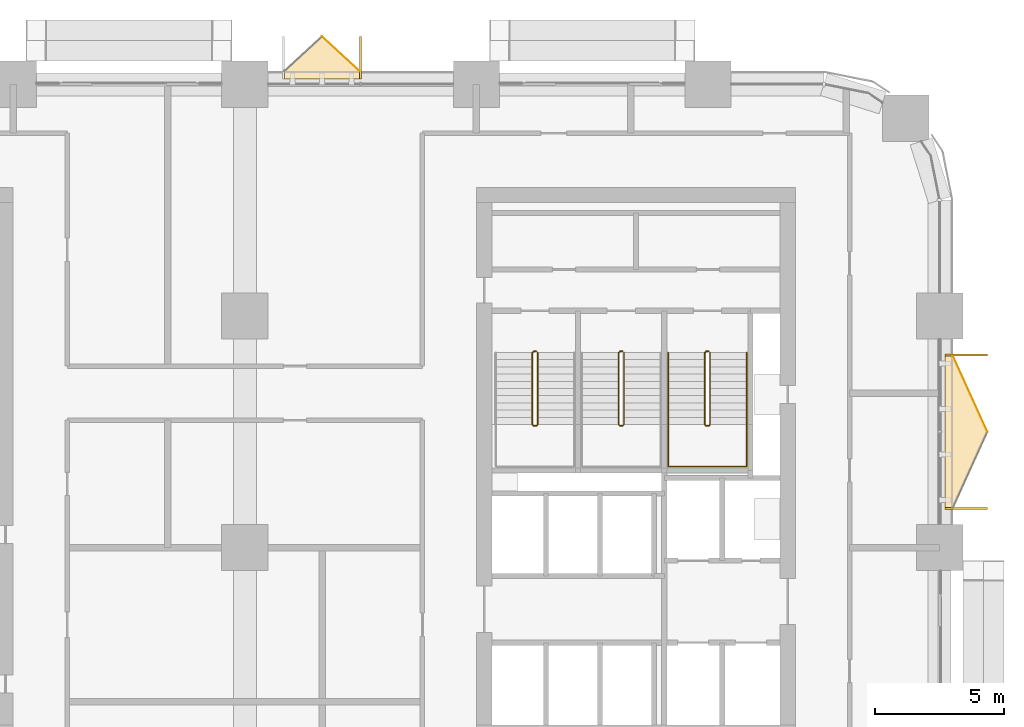
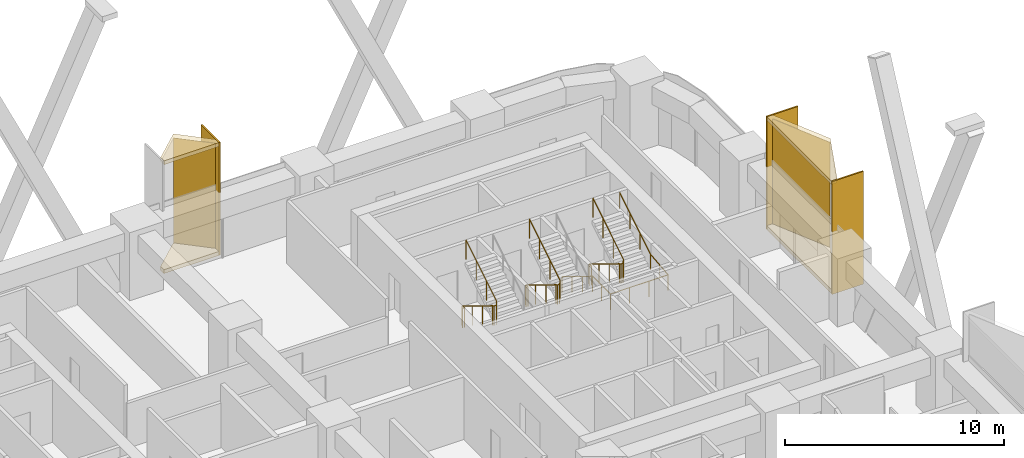
# One storey, part 23 of 23: 9 coverings, 4 railings.
"""IFC4 building model written with IfcOpenShell, lengths in metres."""

from ifc_helpers import new_model, si_unit, direction, frame, origin, origin_2d, place, context, subcontext, project, spatial, polyline, rectangle, circle, outline, extrude, material, layer, layer_set, type_object, element, save


model = new_model("IFC4")

# Units and contexts
model_context = context("Model", 3, precision=1e-05, world=origin(), true_north=direction((0.0, 1.0)))
body_context = subcontext(model_context, "Body", "Model", "MODEL_VIEW")
ifc_project = project(units=[si_unit("LENGTHUNIT", "METRE"), si_unit("AREAUNIT", "SQUARE_METRE"), si_unit("VOLUMEUNIT", "CUBIC_METRE"), si_unit("PLANEANGLEUNIT", "RADIAN"), si_unit("MASSUNIT", "GRAM", prefix="KILO")], contexts=[model_context])

# Site, building, storey
site_placement = place(None, origin())
site = spatial("IfcSite", under=ifc_project, at=site_placement, CompositionType="ELEMENT")
building_placement = place(site_placement, origin())
building = spatial("IfcBuilding", under=site, at=building_placement, Name="Tessera Arch", CompositionType="ELEMENT")
storey_placement = place(building_placement, frame((0.0, 0.0, 46.199951171875)))
storey = spatial("IfcBuildingStorey", under=building, at=storey_placement, Name="L09", CompositionType="ELEMENT", Elevation=46.199951171875)

# Railings
ifc_material_1 = material(Name="Painted steel balustrade", Category="steel")
railing_type_1 = type_object("IfcRailingType", Name="Stair guard 1100", PredefinedType="GUARDRAIL", material=ifc_material_1)
railing_1_placement = place(storey_placement, frame((38.219970703125, 43.6298828125, 0.0)))
element("IfcRailing", 1, at=railing_1_placement, inside=storey, type_object=railing_type_1, Name="L09 S1a stair guard 1", PredefinedType="GUARDRAIL", context=body_context, shape_type="SweptSolid", body=[
    extrude(circle(Radius=0.02392578125, at=origin_2d()), frame((-0.00390625, 0.0, 1.076171875), z_axis=(1.0, 0.0, 0.0), x_axis=(0.0, 1.0, 0.0)), (0.0, 0.0, 1.0), 0.1181640625),
    extrude(circle(Radius=0.02392578125, at=origin_2d()), frame((0.11279296875, 0.000732421875, 1.0732421875), z_axis=(-0.664965661675, -0.206788102106, 0.717676354369), x_axis=(0.296948579431, -0.954893471113, 0.0)), (0.0, 0.0, 1.0), 0.248779296875),
    extrude(circle(Radius=0.02392578125, at=origin_2d()), frame((-0.050048828125, -0.04638671875, 1.246826171875), z_axis=(0.0, -0.851089632645, 0.525020415988), x_axis=(1.0, 0.0, 0.0)), (0.0, 0.0, 1.0), 3.2978515625),
    extrude(circle(Radius=0.02392578125, at=origin_2d()), frame((-0.052978515625, -2.846923828125, 2.97607421875), z_axis=(0.707106781187, -0.707106781187, 0.0), x_axis=(0.707106781187, 0.707106781187, 0.0)), (0.0, 0.0, 1.0), 0.078857421875),
    extrude(circle(Radius=0.02392578125, at=origin_2d()), frame((-0.00390625, -2.89990234375, 2.97607421875), z_axis=(1.0, 0.0, 0.0), x_axis=(0.0, 1.0, 0.0)), (0.0, 0.0, 1.0), 0.1181640625),
    extrude(circle(Radius=0.02392578125, at=origin_2d()), frame((0.109130859375, -2.90087890625, 2.972412109375), z_axis=(0.267062837333, 0.268371968888, 0.925556009775), x_axis=(-0.708833529934, 0.705375805398, 0.0)), (0.0, 0.0, 1.0), 0.194580078125),
    extrude(circle(Radius=0.02392578125, at=origin_2d()), frame((0.159912109375, -2.853271484375, 3.146728515625), z_axis=(0.0, 0.851089632645, 0.525020415988), x_axis=(-1.0, 0.0, 0.0)), (0.0, 0.0, 1.0), 3.2978515625),
    extrude(circle(Radius=0.02099609375, at=origin_2d()), origin(), (0.0, 0.0, 1.0), 1.06396484375),
    extrude(circle(Radius=0.02099609375, at=origin_2d()), frame((0.110107421875, 0.0, 0.0)), (0.0, 0.0, 1.0), 1.06396484375),
    extrude(circle(Radius=0.02099609375, at=origin_2d()), frame((-0.050048828125, -0.0498046875, 0.1728515625)), (0.0, 0.0, 1.0), 1.06396484375),
    extrude(circle(Radius=0.02099609375, at=origin_2d()), frame((-0.050048828125, -0.983154296875, 0.74853515625)), (0.0, 0.0, 1.0), 1.06396484375),
    extrude(circle(Radius=0.02099609375, at=origin_2d()), frame((-0.050048828125, -1.91650390625, 1.324462890625)), (0.0, 0.0, 1.0), 1.06396484375),
    extrude(circle(Radius=0.02099609375, at=origin_2d()), frame((-0.050048828125, -2.849853515625, 1.900146484375)), (0.0, 0.0, 1.0), 1.06396484375),
    extrude(circle(Radius=0.02099609375, at=origin_2d()), frame((0.0, -2.89990234375, 1.900146484375)), (0.0, 0.0, 1.0), 1.06396484375),
    extrude(circle(Radius=0.02099609375, at=origin_2d()), frame((0.110107421875, -2.89990234375, 1.900146484375)), (0.0, 0.0, 1.0), 1.06396484375),
    extrude(circle(Radius=0.02099609375, at=origin_2d()), frame((0.159912109375, -2.849853515625, 2.07275390625)), (0.0, 0.0, 1.0), 1.06396484375),
    extrude(circle(Radius=0.02099609375, at=origin_2d()), frame((0.159912109375, -1.91650390625, 2.6484375)), (0.0, 0.0, 1.0), 1.06396484375),
    extrude(circle(Radius=0.02099609375, at=origin_2d()), frame((0.159912109375, -0.983154296875, 3.224365234375)), (0.0, 0.0, 1.0), 1.06396484375),
    extrude(circle(Radius=0.02099609375, at=origin_2d()), frame((0.159912109375, -0.0498046875, 3.800048828125)), (0.0, 0.0, 1.0), 1.06396484375),
])
railing_2_placement = place(storey_placement, frame((41.570068359375, 43.6298828125, 0.0)))
element("IfcRailing", 2, at=railing_2_placement, inside=storey, type_object=railing_type_1, Name="L09 S1b stair guard 1", PredefinedType="GUARDRAIL", context=body_context, shape_type="SweptSolid", body=[
    extrude(circle(Radius=0.02392578125, at=origin_2d()), frame((-0.00390625, 0.0, 1.076171875), z_axis=(1.0, 0.0, 0.0), x_axis=(0.0, 1.0, 0.0)), (0.0, 0.0, 1.0), 0.117919921875),
    extrude(circle(Radius=0.02392578125, at=origin_2d()), frame((0.112548828125, 0.000732421875, 1.0732421875), z_axis=(-0.664399645116, -0.206927523059, 0.718160227087), x_axis=(0.297361876254, -0.954764847777, 0.0)), (0.0, 0.0, 1.0), 0.248779296875),
    extrude(circle(Radius=0.02392578125, at=origin_2d()), frame((-0.050048828125, -0.04638671875, 1.246826171875), z_axis=(0.0, -0.851089632645, 0.525020415988), x_axis=(1.0, 0.0, 0.0)), (0.0, 0.0, 1.0), 3.2978515625),
    extrude(circle(Radius=0.02392578125, at=origin_2d()), frame((-0.052978515625, -2.846923828125, 2.97607421875), z_axis=(0.707106781187, -0.707106781187, 0.0), x_axis=(0.707106781187, 0.707106781187, 0.0)), (0.0, 0.0, 1.0), 0.078857421875),
    extrude(circle(Radius=0.02392578125, at=origin_2d()), frame((-0.00390625, -2.89990234375, 2.97607421875), z_axis=(1.0, 0.0, 0.0), x_axis=(0.0, 1.0, 0.0)), (0.0, 0.0, 1.0), 0.117919921875),
    extrude(circle(Radius=0.02392578125, at=origin_2d()), frame((0.10888671875, -2.90087890625, 2.972412109375), z_axis=(0.268277960024, 0.268277960024, 0.925231793839), x_axis=(-0.707106781187, 0.707106781187, 0.0)), (0.0, 0.0, 1.0), 0.194580078125),
    extrude(circle(Radius=0.02392578125, at=origin_2d()), frame((0.159912109375, -2.853271484375, 3.146728515625), z_axis=(0.0, 0.851089632645, 0.525020415988), x_axis=(-1.0, 0.0, 0.0)), (0.0, 0.0, 1.0), 3.2978515625),
    extrude(circle(Radius=0.02099609375, at=origin_2d()), origin(), (0.0, 0.0, 1.0), 1.06396484375),
    extrude(circle(Radius=0.02099609375, at=origin_2d()), frame((0.10986328125, 0.0, 0.0)), (0.0, 0.0, 1.0), 1.06396484375),
    extrude(circle(Radius=0.02099609375, at=origin_2d()), frame((-0.050048828125, -0.0498046875, 0.1728515625)), (0.0, 0.0, 1.0), 1.06396484375),
    extrude(circle(Radius=0.02099609375, at=origin_2d()), frame((-0.050048828125, -0.983154296875, 0.74853515625)), (0.0, 0.0, 1.0), 1.06396484375),
    extrude(circle(Radius=0.02099609375, at=origin_2d()), frame((-0.050048828125, -1.91650390625, 1.324462890625)), (0.0, 0.0, 1.0), 1.06396484375),
    extrude(circle(Radius=0.02099609375, at=origin_2d()), frame((-0.050048828125, -2.849853515625, 1.900146484375)), (0.0, 0.0, 1.0), 1.06396484375),
    extrude(circle(Radius=0.02099609375, at=origin_2d()), frame((0.0, -2.89990234375, 1.900146484375)), (0.0, 0.0, 1.0), 1.06396484375),
    extrude(circle(Radius=0.02099609375, at=origin_2d()), frame((0.10986328125, -2.89990234375, 1.900146484375)), (0.0, 0.0, 1.0), 1.06396484375),
    extrude(circle(Radius=0.02099609375, at=origin_2d()), frame((0.159912109375, -2.849853515625, 2.07275390625)), (0.0, 0.0, 1.0), 1.06396484375),
    extrude(circle(Radius=0.02099609375, at=origin_2d()), frame((0.159912109375, -1.91650390625, 2.6484375)), (0.0, 0.0, 1.0), 1.06396484375),
    extrude(circle(Radius=0.02099609375, at=origin_2d()), frame((0.159912109375, -0.983154296875, 3.224365234375)), (0.0, 0.0, 1.0), 1.06396484375),
    extrude(circle(Radius=0.02099609375, at=origin_2d()), frame((0.159912109375, -0.0498046875, 3.800048828125)), (0.0, 0.0, 1.0), 1.06396484375),
])
railing_3_placement = place(storey_placement, frame((44.919921875, 43.6298828125, 0.0)))
element("IfcRailing", 3, at=railing_3_placement, inside=storey, type_object=railing_type_1, Name="L09 S1c stair guard 1", PredefinedType="GUARDRAIL", context=body_context, shape_type="SweptSolid", body=[
    extrude(circle(Radius=0.02392578125, at=origin_2d()), frame((-0.00390625, 0.0, 1.076171875), z_axis=(1.0, 0.0, 0.0), x_axis=(0.0, 1.0, 0.0)), (0.0, 0.0, 1.0), 0.1181640625),
    extrude(circle(Radius=0.02392578125, at=origin_2d()), frame((0.11279296875, 0.000732421875, 1.0732421875), z_axis=(-0.664399645116, -0.206927523059, 0.718160227087), x_axis=(0.297361876254, -0.954764847777, 0.0)), (0.0, 0.0, 1.0), 0.248779296875),
    extrude(circle(Radius=0.02392578125, at=origin_2d()), frame((-0.0498046875, -0.04638671875, 1.246826171875), z_axis=(0.0, -0.851089632645, 0.525020415988), x_axis=(1.0, 0.0, 0.0)), (0.0, 0.0, 1.0), 3.2978515625),
    extrude(circle(Radius=0.02392578125, at=origin_2d()), frame((-0.052734375, -2.846923828125, 2.97607421875), z_axis=(0.705375805398, -0.708833529934, 0.0), x_axis=(0.708833529934, 0.705375805398, 0.0)), (0.0, 0.0, 1.0), 0.07861328125),
    extrude(circle(Radius=0.02392578125, at=origin_2d()), frame((-0.00390625, -2.89990234375, 2.97607421875), z_axis=(1.0, 0.0, 0.0), x_axis=(0.0, 1.0, 0.0)), (0.0, 0.0, 1.0), 0.1181640625),
    extrude(circle(Radius=0.02392578125, at=origin_2d()), frame((0.109130859375, -2.90087890625, 2.972412109375), z_axis=(0.268277960024, 0.268277960024, 0.925231793839), x_axis=(-0.707106781187, 0.707106781187, 0.0)), (0.0, 0.0, 1.0), 0.194580078125),
    extrude(circle(Radius=0.02392578125, at=origin_2d()), frame((0.16015625, -2.853271484375, 3.146728515625), z_axis=(0.0, 0.851089632645, 0.525020415988), x_axis=(-1.0, 0.0, 0.0)), (0.0, 0.0, 1.0), 3.2978515625),
    extrude(circle(Radius=0.02099609375, at=origin_2d()), origin(), (0.0, 0.0, 1.0), 1.06396484375),
    extrude(circle(Radius=0.02099609375, at=origin_2d()), frame((0.110107421875, 0.0, 0.0)), (0.0, 0.0, 1.0), 1.06396484375),
    extrude(circle(Radius=0.02099609375, at=origin_2d()), frame((-0.0498046875, -0.0498046875, 0.1728515625)), (0.0, 0.0, 1.0), 1.06396484375),
    extrude(circle(Radius=0.02099609375, at=origin_2d()), frame((-0.0498046875, -0.983154296875, 0.74853515625)), (0.0, 0.0, 1.0), 1.06396484375),
    extrude(circle(Radius=0.02099609375, at=origin_2d()), frame((-0.0498046875, -1.91650390625, 1.324462890625)), (0.0, 0.0, 1.0), 1.06396484375),
    extrude(circle(Radius=0.02099609375, at=origin_2d()), frame((-0.0498046875, -2.849853515625, 1.900146484375)), (0.0, 0.0, 1.0), 1.06396484375),
    extrude(circle(Radius=0.02099609375, at=origin_2d()), frame((0.0, -2.89990234375, 1.900146484375)), (0.0, 0.0, 1.0), 1.06396484375),
    extrude(circle(Radius=0.02099609375, at=origin_2d()), frame((0.110107421875, -2.89990234375, 1.900146484375)), (0.0, 0.0, 1.0), 1.06396484375),
    extrude(circle(Radius=0.02099609375, at=origin_2d()), frame((0.16015625, -2.849853515625, 2.07275390625)), (0.0, 0.0, 1.0), 1.06396484375),
    extrude(circle(Radius=0.02099609375, at=origin_2d()), frame((0.16015625, -1.91650390625, 2.6484375)), (0.0, 0.0, 1.0), 1.06396484375),
    extrude(circle(Radius=0.02099609375, at=origin_2d()), frame((0.16015625, -0.983154296875, 3.224365234375)), (0.0, 0.0, 1.0), 1.06396484375),
    extrude(circle(Radius=0.02099609375, at=origin_2d()), frame((0.16015625, -0.0498046875, 3.800048828125)), (0.0, 0.0, 1.0), 1.06396484375),
])
ifc_material_2 = material(Name="Painted steel handrail", Category="steel")
railing_type_2 = type_object("IfcRailingType", Name="Stair handrail 900", PredefinedType="HANDRAIL", material=ifc_material_2)
railing_4_placement = place(storey_placement, frame((43.449951171875, 43.580078125, 0.1728515625)))
element("IfcRailing", 4, at=railing_4_placement, inside=storey, type_object=railing_type_2, Name="L09 S1c stair handrail", PredefinedType="HANDRAIL", context=body_context, shape_type="SweptSolid", body=[
    extrude(circle(Radius=0.02392578125, at=origin_2d()), frame((0.0, 0.00341796875, 0.873779296875), z_axis=(0.0, -0.851089632645, 0.525020415988), x_axis=(1.0, 0.0, 0.0)), (0.0, 0.0, 1.0), 3.2978515625),
    extrude(circle(Radius=0.02392578125, at=origin_2d()), frame((0.0, -2.796142578125, 2.60302734375), z_axis=(0.0, -1.0, 0.0), x_axis=(1.0, 0.0, 0.0)), (0.0, 0.0, 1.0), 1.63818359375),
    extrude(circle(Radius=0.02392578125, at=origin_2d()), frame((-0.00390625, -4.43017578125, 2.60302734375), z_axis=(1.0, 0.0, 0.0), x_axis=(0.0, 1.0, 0.0)), (0.0, 0.0, 1.0), 3.05810546875),
    extrude(circle(Radius=0.02392578125, at=origin_2d()), frame((3.050048828125, -4.43408203125, 2.602783203125), z_axis=(0.0, 0.994440793715, 0.105297235459), x_axis=(-1.0, 0.0, 0.0)), (0.0, 0.0, 1.0), 1.647216796875),
    extrude(circle(Radius=0.02392578125, at=origin_2d()), frame((3.050048828125, -2.803466796875, 2.773681640625), z_axis=(0.0, 0.851089632645, 0.525020415988), x_axis=(-1.0, 0.0, 0.0)), (0.0, 0.0, 1.0), 3.2978515625),
    extrude(circle(Radius=0.02099609375, at=origin_2d()), origin(), (0.0, 0.0, 1.0), 0.86376953125),
    extrude(circle(Radius=0.02099609375, at=origin_2d()), frame((0.0, -0.933349609375, 0.57568359375)), (0.0, 0.0, 1.0), 0.86376953125),
    extrude(circle(Radius=0.02099609375, at=origin_2d()), frame((0.0, -1.86669921875, 1.151611328125)), (0.0, 0.0, 1.0), 0.86376953125),
    extrude(circle(Radius=0.02099609375, at=origin_2d()), frame((0.0, -2.800048828125, 1.727294921875)), (0.0, 0.0, 1.0), 0.86376953125),
    extrude(circle(Radius=0.02099609375, at=origin_2d()), frame((0.0, -3.615234375, 1.727294921875)), (0.0, 0.0, 1.0), 0.86376953125),
    extrude(circle(Radius=0.02099609375, at=origin_2d()), frame((0.0, -4.43017578125, 1.727294921875)), (0.0, 0.0, 1.0), 0.86376953125),
    extrude(circle(Radius=0.02099609375, at=origin_2d()), frame((1.0166015625, -4.43017578125, 1.727294921875)), (0.0, 0.0, 1.0), 0.86376953125),
    extrude(circle(Radius=0.02099609375, at=origin_2d()), frame((2.033447265625, -4.43017578125, 1.727294921875)), (0.0, 0.0, 1.0), 0.86376953125),
    extrude(circle(Radius=0.02099609375, at=origin_2d()), frame((3.050048828125, -4.43017578125, 1.727294921875)), (0.0, 0.0, 1.0), 0.86376953125),
    extrude(circle(Radius=0.02099609375, at=origin_2d()), frame((3.050048828125, -3.615234375, 1.8134765625)), (0.0, 0.0, 1.0), 0.86376953125),
    extrude(circle(Radius=0.02099609375, at=origin_2d()), frame((3.050048828125, -2.800048828125, 1.89990234375)), (0.0, 0.0, 1.0), 0.86376953125),
    extrude(circle(Radius=0.02099609375, at=origin_2d()), frame((3.050048828125, -1.86669921875, 2.4755859375)), (0.0, 0.0, 1.0), 0.86376953125),
    extrude(circle(Radius=0.02099609375, at=origin_2d()), frame((3.050048828125, -0.933349609375, 3.051513671875)), (0.0, 0.0, 1.0), 0.86376953125),
    extrude(circle(Radius=0.02099609375, at=origin_2d()), frame((3.050048828125, 0.0, 3.627197265625)), (0.0, 0.0, 1.0), 0.86376953125),
])

# Coverings
ifc_material_3 = material(Name="Anodised aluminium pale metal", Category="aluminium")
ifc_layer_1 = layer(ifc_material_3, 0.080078125)
ifc_layer_set_1 = layer_set([ifc_layer_1], Name="Window box cheek")
covering_type_1 = type_object("IfcCoveringType", Name="Window box cheek", PredefinedType="CLADDING", material=ifc_layer_set_1)
covering_1_placement = place(storey_placement, origin())
element("IfcCovering", 5, at=covering_1_placement, inside=storey, type_object=covering_type_1, Name="Window box E54.0/4.0 2x2 cheek", PredefinedType="CLADDING", context=body_context, shape_type="SweptSolid", body=[
    extrude(outline(polyline([(55.85009765625, 37.469970703125), (55.85009765625, 37.550048828125), (54.199951171875, 37.550048828125), (54.199951171875, 37.469970703125), (55.85009765625, 37.469970703125)])), origin(), (0.0, 0.0, 1.0), 6.300048828125),
])
covering_2_placement = place(storey_placement, origin())
element("IfcCovering", 6, at=covering_2_placement, inside=storey, type_object=covering_type_1, Name="Window box E54.0/4.0 2x2 cheek", PredefinedType="CLADDING", context=body_context, shape_type="SweptSolid", body=[
    extrude(outline(polyline([(55.85009765625, 43.449951171875), (55.85009765625, 43.530029296875), (54.199951171875, 43.530029296875), (54.199951171875, 43.449951171875), (55.85009765625, 43.449951171875)])), origin(), (0.0, 0.0, 1.0), 6.300048828125),
])
covering_3_placement = place(storey_placement, origin())
element("IfcCovering", 7, at=covering_3_placement, inside=storey, type_object=covering_type_1, Name="Window box N54.0/2.1 1x2 cheek", PredefinedType="CLADDING", context=body_context, shape_type="SweptSolid", body=[
    extrude(outline(polyline([(31.530029296875, 55.85009765625), (31.449951171875, 55.85009765625), (31.449951171875, 54.199951171875), (31.530029296875, 54.199951171875), (31.530029296875, 55.85009765625)])), origin(), (0.0, 0.0, 1.0), 6.300048828125),
])
ifc_material_4 = material(Name="Anodised aluminium pale metal", Category="aluminium")
ifc_layer_2 = layer(ifc_material_4, 0.219970703125)
ifc_layer_set_2 = layer_set([ifc_layer_2], Name="Window box frame plate pale metal")
covering_type_2 = type_object("IfcCoveringType", Name="Window box frame plate pale metal", PredefinedType="CLADDING", material=ifc_layer_set_2)
for number, where, name in (
    (8, (0.0, 0.0, 0.0), "Window box E54.0/4.0 2x2 floor"),
    (9, (0.0, 0.0, 6.080078125), "Window box E54.0/4.0 2x2 roof"),
):
    element("IfcCovering", number, at=place(storey_placement, frame(where)), inside=storey, type_object=covering_type_2, Name=name, PredefinedType="CLADDING", context=body_context, shape_type="SweptSolid", body=[
        extrude(outline(polyline([(54.510009765625, 37.550048828125), (55.85009765625, 40.5), (54.510009765625, 43.449951171875), (54.199951171875, 43.449951171875), (54.199951171875, 37.550048828125), (54.510009765625, 37.550048828125)])), origin(), (0.0, 0.0, 1.0), 0.219970703125),
    ])
ifc_material_5 = material(Name="Anodised aluminium turquoise", Category="aluminium")
ifc_layer_3 = layer(ifc_material_5, 0.219970703125)
ifc_layer_set_3 = layer_set([ifc_layer_3], Name="Window box frame plate turquoise")
covering_type_3 = type_object("IfcCoveringType", Name="Window box frame plate turquoise", PredefinedType="CLADDING", material=ifc_layer_set_3)
for number, where, name in (
    (10, (0.0, 0.0, 0.0), "Window box N54.0/2.1 1x2 floor"),
    (11, (0.0, 0.0, 6.080078125), "Window box N54.0/2.1 1x2 roof"),
):
    element("IfcCovering", number, at=place(storey_placement, frame(where)), inside=storey, type_object=covering_type_3, Name=name, PredefinedType="CLADDING", context=body_context, shape_type="SweptSolid", body=[
        extrude(outline(polyline([(31.449951171875, 54.510009765625), (30.0, 55.85009765625), (28.550048828125, 54.510009765625), (28.550048828125, 54.199951171875), (31.449951171875, 54.199951171875), (31.449951171875, 54.510009765625)])), origin(), (0.0, 0.0, 1.0), 0.219970703125),
    ])
ifc_material_6 = material(Name="Anodised aluminium pale metal", Category="aluminium")
ifc_layer_4 = layer(ifc_material_6, 0.028076171875)
ifc_layer_set_4 = layer_set([ifc_layer_4], Name="Window box side panel")
covering_type_4 = type_object("IfcCoveringType", Name="Window box side panel", PredefinedType="CLADDING", material=ifc_layer_set_4)
covering_4_placement = place(storey_placement, frame((55.179931640625, 41.97509765625, 0.22021484375), z_axis=(0.0, 0.0, 1.0), x_axis=(0.413570397858, -0.910472144558, 0.0)))
element("IfcCovering", 12, at=covering_4_placement, inside=storey, type_object=covering_type_4, Name="Window box E54.0/4.0 2x2 side panel", PredefinedType="CLADDING", context=body_context, shape_type="SweptSolid", body=[
    extrude(rectangle(XDim=3.239990234375, YDim=0.028076171875, at=origin_2d()), origin(), (0.0, 0.0, 1.0), 5.860107421875),
])
covering_5_placement = place(storey_placement, frame((30.72509765625, 55.179931640625, 0.22021484375), z_axis=(0.0, 0.0, 1.0), x_axis=(-0.734414958885, 0.678700720617, 0.0)))
element("IfcCovering", 13, at=covering_5_placement, inside=storey, type_object=covering_type_4, Name="Window box N54.0/2.1 1x2 side panel", PredefinedType="CLADDING", context=body_context, shape_type="SweptSolid", body=[
    extrude(rectangle(XDim=1.974365234375, YDim=0.028076171875, at=origin_2d()), origin(), (0.0, 0.0, 1.0), 5.860107421875),
])

save(model, "model.ifc")
